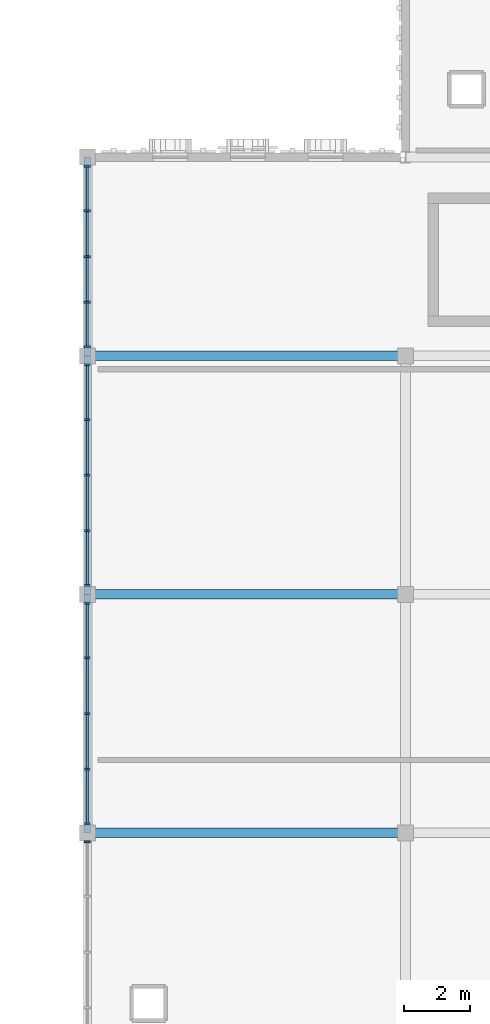
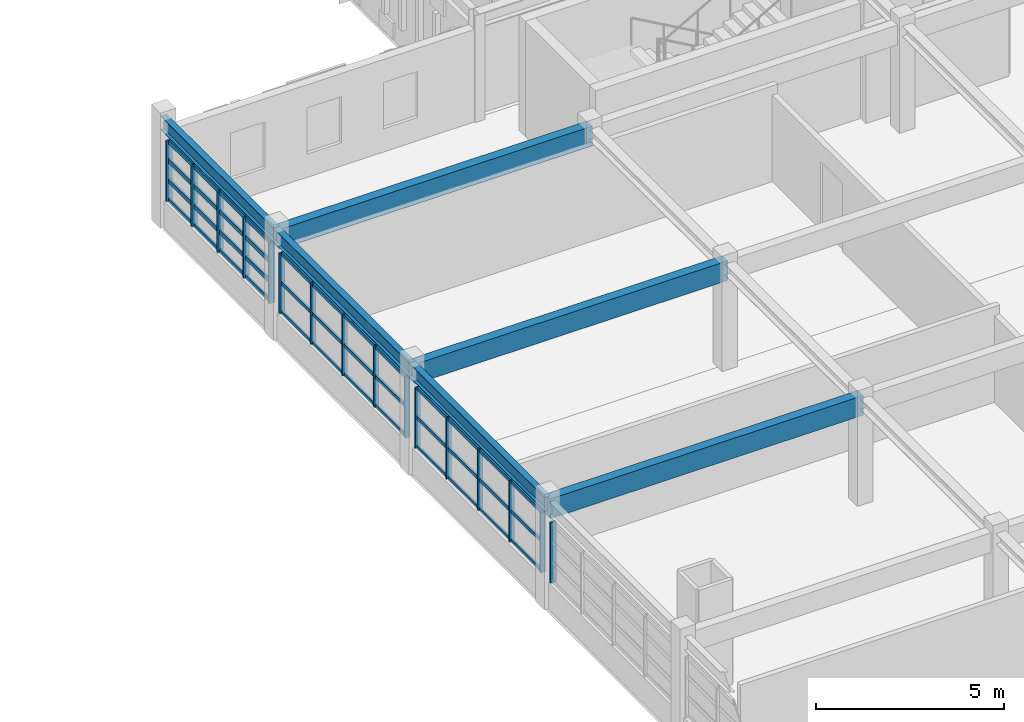
# One storey, part 5 of 53: 56 members, 6 beams, 4 elements without a shape of their own.
"""IFC4 building model written with IfcOpenShell, lengths in metres."""

from ifc_helpers import new_model, si_unit, direction, frame, origin, origin_2d, place, context, subcontext, project, spatial, rectangle, i_section, extrude, material, material_profile, profile_set, type_object, element, aggregate, save


model = new_model("IFC4")

# Units and contexts
model_context = context("Model", 3, precision=1e-05, world=origin(), true_north=direction((0.0, 1.0)))
body_context = subcontext(model_context, "Body", "Model", "MODEL_VIEW")
ifc_project = project(units=[si_unit("LENGTHUNIT", "METRE"), si_unit("AREAUNIT", "SQUARE_METRE"), si_unit("VOLUMEUNIT", "CUBIC_METRE"), si_unit("PLANEANGLEUNIT", "RADIAN"), si_unit("MASSUNIT", "GRAM", prefix="KILO")], contexts=[model_context])

# Site, building, storey
site_placement = place(None, origin())
site = spatial("IfcSite", under=ifc_project, at=site_placement, CompositionType="ELEMENT")
building_placement = place(site_placement, origin())
building = spatial("IfcBuilding", under=site, at=building_placement, Name="Nzembalo Square Collegiate School", CompositionType="ELEMENT")
storey_placement = place(building_placement, frame((0.0, 0.0, 13.60009765625)))
storey = spatial("IfcBuildingStorey", under=building, at=storey_placement, Name="L03", CompositionType="ELEMENT", Elevation=13.60009765625)

# Beams
ifc_material_1 = material(Name="Glulam GL32h", Category="wood")
ifc_material_profile_1 = material_profile(ifc_material_1, rectangle(XDim=0.280029296875, YDim=0.639892578125, at=origin_2d()), Name="GL32h 280x640")
ifc_profile_set_1 = profile_set([ifc_material_profile_1], Name="Glulam GL32h")
beam_type_1 = type_object("IfcBeamType", Name="B04", PredefinedType="BEAM", material=ifc_profile_set_1)
for number, where, z_axis, x_axis, name in (
    (1, (130.800048828125, 30.0, 3.135009765625), (1.0, 0.0, 0.0), (0.0, 1.0, 0.0), "Beam B04 L03"),
    (2, (130.800048828125, 37.199951171875, 3.135009765625), (1.0, 0.0, 0.0), (0.0, 1.0, 0.0), "Beam B04 L03"),
    (3, (130.800048828125, 44.39990234375, 3.135009765625), (1.0, 0.0, 0.0), (0.0, 1.0, 0.0), "Beam B04 L03"),
):
    element("IfcBeam", number, at=place(storey_placement, frame(where, z_axis=z_axis, x_axis=x_axis)), inside=storey, type_object=beam_type_1, Name=name, PredefinedType="BEAM", context=body_context, shape_type="SweptSolid", body=[
        extrude(rectangle(XDim=0.280029296875, YDim=0.639892578125, at=origin_2d()), origin(), (0.0, 0.0, 1.0), 9.599853515625),
    ])
ifc_material_2 = material(Name="Steel S355", Category="steel")
ifc_material_profile_2 = material_profile(ifc_material_2, i_section(OverallWidth=0.18994140625, OverallDepth=0.449951171875, WebThickness=0.009521484375, FlangeThickness=0.0146484375, at=origin_2d()), Name="IPE 450")
ifc_profile_set_2 = profile_set([ifc_material_profile_2], Name="Steel S355")
beam_type_2 = type_object("IfcBeamType", Name="B09", PredefinedType="BEAM", material=ifc_profile_set_2)
for number, where, z_axis, x_axis, name in (
    (4, (130.800048828125, 30.0, 3.22998046875), (0.0, 1.0, 0.0), (-1.0, 0.0, 0.0), "Beam B09 L03"),
    (5, (130.800048828125, 37.199951171875, 3.22998046875), (0.0, 1.0, 0.0), (-1.0, 0.0, 0.0), "Beam B09 L03"),
):
    element("IfcBeam", number, at=place(storey_placement, frame(where, z_axis=z_axis, x_axis=x_axis)), inside=storey, type_object=beam_type_2, Name=name, PredefinedType="BEAM", context=body_context, shape_type="SweptSolid", body=[
        extrude(i_section(OverallWidth=0.18994140625, OverallDepth=0.449951171875, WebThickness=0.009521484375, FlangeThickness=0.0146484375, at=origin_2d()), origin(), (0.0, 0.0, 1.0), 7.199951171875),
    ])
beam_placement = place(storey_placement, frame((130.800048828125, 44.39990234375, 3.22998046875), z_axis=(0.0, 1.0, 0.0), x_axis=(-1.0, 0.0, 0.0)))
element("IfcBeam", 6, at=beam_placement, inside=storey, type_object=beam_type_2, Name="Beam B09 L03", PredefinedType="BEAM", context=body_context, shape_type="SweptSolid", body=[
    extrude(i_section(OverallWidth=0.18994140625, OverallDepth=0.449951171875, WebThickness=0.009521484375, FlangeThickness=0.0146484375, at=origin_2d()), origin(), (0.0, 0.0, 1.0), 6.0),
])

# Curtain wall, member
ifc_material_3 = material(Name="Aluminium 6060-T66", Category="aluminium")
curtain_wall_type_1 = type_object("IfcCurtainWallType", Name="CW-06", PredefinedType="USERDEFINED", material=ifc_material_3)
curtain_wall_1_placement = place(storey_placement, origin())
curtain_wall_1 = element("IfcCurtainWall", 7, at=curtain_wall_1_placement, inside=storey, type_object=curtain_wall_type_1, Name="Curtain wall CW-06 cw:L03:117", ObjectType="LANCET", PredefinedType="USERDEFINED")
ifc_material_4 = material(Name="Aluminium 6060-T66", Category="aluminium")
ifc_material_profile_3 = material_profile(ifc_material_4, rectangle(XDim=0.06005859375, YDim=0.179931640625, at=origin_2d()), Name="ALU M60x180")
ifc_profile_set_3 = profile_set([ifc_material_profile_3], Name="Aluminium 6060-T66")
member_type_1 = type_object("IfcMemberType", Name="ML01", PredefinedType="MULLION", material=ifc_profile_set_3)
member_1_placement = place(storey_placement, frame((130.800048828125, 29.72802734375, 0.849853515625), z_axis=(0.0, 0.0, 1.0), x_axis=(0.0, 1.0, 0.0)))
member_1 = element("IfcMember", 8, at=member_1_placement, type_object=member_type_1, Name="ML01 mullion 5", PredefinedType="MULLION", context=body_context, shape_type="SweptSolid", body=[
    extrude(rectangle(XDim=0.06005859375, YDim=0.179931640625, at=origin_2d()), origin(), (0.0, 0.0, 1.0), 1.958984375),
])
aggregate(curtain_wall_1, [member_1])

# Curtain wall, members
ifc_material_5 = material(Name="Aluminium 6060-T66", Category="aluminium")
curtain_wall_type_2 = type_object("IfcCurtainWallType", Name="CW-01", PredefinedType="USERDEFINED", material=ifc_material_5)
curtain_wall_2_placement = place(storey_placement, origin())
curtain_wall_2 = element("IfcCurtainWall", 9, at=curtain_wall_2_placement, inside=storey, type_object=curtain_wall_type_2, Name="Curtain wall CW-01 cw:L03:120", ObjectType="UNITISED", PredefinedType="USERDEFINED")
member_2_placement = place(storey_placement, frame((130.800048828125, 44.672119140625, 0.849853515625), z_axis=(0.0, 0.0, 1.0), x_axis=(0.0, 1.0, 0.0)))
member_2 = element("IfcMember", 10, at=member_2_placement, type_object=member_type_1, Name="ML01 mullion 1", PredefinedType="MULLION", context=body_context, shape_type="SweptSolid", body=[
    extrude(rectangle(XDim=0.06005859375, YDim=0.179931640625, at=origin_2d()), origin(), (0.0, 0.0, 1.0), 1.958984375),
])
member_3_placement = place(storey_placement, frame((130.800048828125, 46.02099609375, 0.849853515625), z_axis=(0.0, 0.0, 1.0), x_axis=(0.0, 1.0, 0.0)))
member_3 = element("IfcMember", 11, at=member_3_placement, type_object=member_type_1, Name="ML01 mullion 2", PredefinedType="MULLION", context=body_context, shape_type="SweptSolid", body=[
    extrude(rectangle(XDim=0.06005859375, YDim=0.179931640625, at=origin_2d()), origin(), (0.0, 0.0, 1.0), 1.958984375),
])
member_4_placement = place(storey_placement, frame((130.800048828125, 47.39990234375, 0.849853515625), z_axis=(0.0, 0.0, 1.0), x_axis=(0.0, 1.0, 0.0)))
member_4 = element("IfcMember", 12, at=member_4_placement, type_object=member_type_1, Name="ML01 mullion 3", PredefinedType="MULLION", context=body_context, shape_type="SweptSolid", body=[
    extrude(rectangle(XDim=0.06005859375, YDim=0.179931640625, at=origin_2d()), origin(), (0.0, 0.0, 1.0), 1.958984375),
])
member_5_placement = place(storey_placement, frame((130.800048828125, 48.779052734375, 0.849853515625), z_axis=(0.0, 0.0, 1.0), x_axis=(0.0, 1.0, 0.0)))
member_5 = element("IfcMember", 13, at=member_5_placement, type_object=member_type_1, Name="ML01 mullion 4", PredefinedType="MULLION", context=body_context, shape_type="SweptSolid", body=[
    extrude(rectangle(XDim=0.06005859375, YDim=0.179931640625, at=origin_2d()), origin(), (0.0, 0.0, 1.0), 1.958984375),
])
member_6_placement = place(storey_placement, frame((130.800048828125, 50.1279296875, 0.849853515625), z_axis=(0.0, 0.0, 1.0), x_axis=(0.0, 1.0, 0.0)))
member_6 = element("IfcMember", 14, at=member_6_placement, type_object=member_type_1, Name="ML01 mullion 5", PredefinedType="MULLION", context=body_context, shape_type="SweptSolid", body=[
    extrude(rectangle(XDim=0.06005859375, YDim=0.179931640625, at=origin_2d()), origin(), (0.0, 0.0, 1.0), 1.958984375),
])

ifc_material_6 = material(Name="Aluminium 6060-T66", Category="aluminium")
curtain_wall_type_3 = type_object("IfcCurtainWallType", Name="CW-07", PredefinedType="USERDEFINED", material=ifc_material_6)
curtain_wall_3_placement = place(storey_placement, origin())
curtain_wall_3 = element("IfcCurtainWall", 15, at=curtain_wall_3_placement, inside=storey, type_object=curtain_wall_type_3, Name="Curtain wall CW-07 cw:L03:118", ObjectType="LANCET", PredefinedType="USERDEFINED")
ifc_material_7 = material(Name="Aluminium 6060-T66", Category="aluminium")
ifc_material_profile_4 = material_profile(ifc_material_7, rectangle(XDim=0.06005859375, YDim=0.14990234375, at=origin_2d()), Name="ALU M60x150")
ifc_profile_set_4 = profile_set([ifc_material_profile_4], Name="Aluminium 6060-T66")
member_type_2 = type_object("IfcMemberType", Name="ML02", PredefinedType="MULLION", material=ifc_profile_set_4)
member_7_placement = place(storey_placement, frame((130.800048828125, 30.27197265625, 0.849853515625), z_axis=(0.0, 0.0, 1.0), x_axis=(0.0, 1.0, 0.0)))
member_7 = element("IfcMember", 16, at=member_7_placement, type_object=member_type_2, Name="ML02 mullion 1", PredefinedType="MULLION", context=body_context, shape_type="SweptSolid", body=[
    extrude(rectangle(XDim=0.06005859375, YDim=0.14990234375, at=origin_2d()), origin(), (0.0, 0.0, 1.0), 1.958984375),
])
member_8_placement = place(storey_placement, frame((130.800048828125, 31.9208984375, 0.849853515625), z_axis=(0.0, 0.0, 1.0), x_axis=(0.0, 1.0, 0.0)))
member_8 = element("IfcMember", 17, at=member_8_placement, type_object=member_type_2, Name="ML02 mullion 2", PredefinedType="MULLION", context=body_context, shape_type="SweptSolid", body=[
    extrude(rectangle(XDim=0.06005859375, YDim=0.14990234375, at=origin_2d()), origin(), (0.0, 0.0, 1.0), 1.958984375),
])
member_9_placement = place(storey_placement, frame((130.800048828125, 33.60009765625, 0.849853515625), z_axis=(0.0, 0.0, 1.0), x_axis=(0.0, 1.0, 0.0)))
member_9 = element("IfcMember", 18, at=member_9_placement, type_object=member_type_2, Name="ML02 mullion 3", PredefinedType="MULLION", context=body_context, shape_type="SweptSolid", body=[
    extrude(rectangle(XDim=0.06005859375, YDim=0.14990234375, at=origin_2d()), origin(), (0.0, 0.0, 1.0), 1.958984375),
])
member_10_placement = place(storey_placement, frame((130.800048828125, 35.279052734375, 0.849853515625), z_axis=(0.0, 0.0, 1.0), x_axis=(0.0, 1.0, 0.0)))
member_10 = element("IfcMember", 19, at=member_10_placement, type_object=member_type_2, Name="ML02 mullion 4", PredefinedType="MULLION", context=body_context, shape_type="SweptSolid", body=[
    extrude(rectangle(XDim=0.06005859375, YDim=0.14990234375, at=origin_2d()), origin(), (0.0, 0.0, 1.0), 1.958984375),
])
member_11_placement = place(storey_placement, frame((130.800048828125, 36.927978515625, 0.849853515625), z_axis=(0.0, 0.0, 1.0), x_axis=(0.0, 1.0, 0.0)))
member_11 = element("IfcMember", 20, at=member_11_placement, type_object=member_type_2, Name="ML02 mullion 5", PredefinedType="MULLION", context=body_context, shape_type="SweptSolid", body=[
    extrude(rectangle(XDim=0.06005859375, YDim=0.14990234375, at=origin_2d()), origin(), (0.0, 0.0, 1.0), 1.958984375),
])

ifc_material_8 = material(Name="Aluminium 6060-T66", Category="aluminium")
curtain_wall_type_4 = type_object("IfcCurtainWallType", Name="CW-08", PredefinedType="USERDEFINED", material=ifc_material_8)
curtain_wall_4_placement = place(storey_placement, origin())
curtain_wall_4 = element("IfcCurtainWall", 21, at=curtain_wall_4_placement, inside=storey, type_object=curtain_wall_type_4, Name="Curtain wall CW-08 cw:L03:119", ObjectType="LANCET", PredefinedType="USERDEFINED")
member_12_placement = place(storey_placement, frame((130.800048828125, 37.471923828125, 0.849853515625), z_axis=(0.0, 0.0, 1.0), x_axis=(0.0, 1.0, 0.0)))
member_12 = element("IfcMember", 22, at=member_12_placement, type_object=member_type_2, Name="ML02 mullion 1", PredefinedType="MULLION", context=body_context, shape_type="SweptSolid", body=[
    extrude(rectangle(XDim=0.06005859375, YDim=0.14990234375, at=origin_2d()), origin(), (0.0, 0.0, 1.0), 1.958984375),
])
member_13_placement = place(storey_placement, frame((130.800048828125, 39.12109375, 0.849853515625), z_axis=(0.0, 0.0, 1.0), x_axis=(0.0, 1.0, 0.0)))
member_13 = element("IfcMember", 23, at=member_13_placement, type_object=member_type_2, Name="ML02 mullion 2", PredefinedType="MULLION", context=body_context, shape_type="SweptSolid", body=[
    extrude(rectangle(XDim=0.06005859375, YDim=0.14990234375, at=origin_2d()), origin(), (0.0, 0.0, 1.0), 1.958984375),
])
member_14_placement = place(storey_placement, frame((130.800048828125, 40.800048828125, 0.849853515625), z_axis=(0.0, 0.0, 1.0), x_axis=(0.0, 1.0, 0.0)))
member_14 = element("IfcMember", 24, at=member_14_placement, type_object=member_type_2, Name="ML02 mullion 3", PredefinedType="MULLION", context=body_context, shape_type="SweptSolid", body=[
    extrude(rectangle(XDim=0.06005859375, YDim=0.14990234375, at=origin_2d()), origin(), (0.0, 0.0, 1.0), 1.958984375),
])
member_15_placement = place(storey_placement, frame((130.800048828125, 42.47900390625, 0.849853515625), z_axis=(0.0, 0.0, 1.0), x_axis=(0.0, 1.0, 0.0)))
member_15 = element("IfcMember", 25, at=member_15_placement, type_object=member_type_2, Name="ML02 mullion 4", PredefinedType="MULLION", context=body_context, shape_type="SweptSolid", body=[
    extrude(rectangle(XDim=0.06005859375, YDim=0.14990234375, at=origin_2d()), origin(), (0.0, 0.0, 1.0), 1.958984375),
])
member_16_placement = place(storey_placement, frame((130.800048828125, 44.1279296875, 0.849853515625), z_axis=(0.0, 0.0, 1.0), x_axis=(0.0, 1.0, 0.0)))
member_16 = element("IfcMember", 26, at=member_16_placement, type_object=member_type_2, Name="ML02 mullion 5", PredefinedType="MULLION", context=body_context, shape_type="SweptSolid", body=[
    extrude(rectangle(XDim=0.06005859375, YDim=0.14990234375, at=origin_2d()), origin(), (0.0, 0.0, 1.0), 1.958984375),
])

# Member
ifc_material_9 = material(Name="Aluminium 6060-T66", Category="aluminium")
ifc_material_profile_5 = material_profile(ifc_material_9, rectangle(XDim=0.06005859375, YDim=0.139892578125, at=origin_2d()), Name="ALU T60x140")
ifc_profile_set_5 = profile_set([ifc_material_profile_5], Name="Aluminium 6060-T66")
member_type_3 = type_object("IfcMemberType", Name="TR01", PredefinedType="USERDEFINED", material=ifc_profile_set_5)
member_17_placement = place(storey_placement, frame((130.800048828125, 44.701904296875, 0.8798828125), z_axis=(0.0, 1.0, 0.0), x_axis=(-1.0, 0.0, 0.0)))
member_17 = element("IfcMember", 27, at=member_17_placement, type_object=member_type_3, Name="TR01 transom 1-1", ObjectType="TRANSOM", PredefinedType="USERDEFINED", context=body_context, shape_type="SweptSolid", body=[
    extrude(rectangle(XDim=0.06005859375, YDim=0.139892578125, at=origin_2d()), origin(), (0.0, 0.0, 1.0), 1.2890625),
])

member_18_placement = place(storey_placement, frame((130.800048828125, 46.051025390625, 0.8798828125), z_axis=(0.0, 1.0, 0.0), x_axis=(-1.0, 0.0, 0.0)))
member_18 = element("IfcMember", 28, at=member_18_placement, type_object=member_type_3, Name="TR01 transom 1-2", ObjectType="TRANSOM", PredefinedType="USERDEFINED", context=body_context, shape_type="SweptSolid", body=[
    extrude(rectangle(XDim=0.06005859375, YDim=0.139892578125, at=origin_2d()), origin(), (0.0, 0.0, 1.0), 1.319091796875),
])

member_19_placement = place(storey_placement, frame((130.800048828125, 47.429931640625, 0.8798828125), z_axis=(0.0, 1.0, 0.0), x_axis=(-1.0, 0.0, 0.0)))
member_19 = element("IfcMember", 29, at=member_19_placement, type_object=member_type_3, Name="TR01 transom 1-3", ObjectType="TRANSOM", PredefinedType="USERDEFINED", context=body_context, shape_type="SweptSolid", body=[
    extrude(rectangle(XDim=0.06005859375, YDim=0.139892578125, at=origin_2d()), origin(), (0.0, 0.0, 1.0), 1.319091796875),
])

member_20_placement = place(storey_placement, frame((130.800048828125, 48.80908203125, 0.8798828125), z_axis=(0.0, 1.0, 0.0), x_axis=(-1.0, 0.0, 0.0)))
member_20 = element("IfcMember", 30, at=member_20_placement, type_object=member_type_3, Name="TR01 transom 1-4", ObjectType="TRANSOM", PredefinedType="USERDEFINED", context=body_context, shape_type="SweptSolid", body=[
    extrude(rectangle(XDim=0.06005859375, YDim=0.139892578125, at=origin_2d()), origin(), (0.0, 0.0, 1.0), 1.288818359375),
])

member_21_placement = place(storey_placement, frame((130.800048828125, 44.701904296875, 1.5029296875), z_axis=(0.0, 1.0, 0.0), x_axis=(-1.0, 0.0, 0.0)))
member_21 = element("IfcMember", 31, at=member_21_placement, type_object=member_type_3, Name="TR01 transom 2-1", ObjectType="TRANSOM", PredefinedType="USERDEFINED", context=body_context, shape_type="SweptSolid", body=[
    extrude(rectangle(XDim=0.06005859375, YDim=0.139892578125, at=origin_2d()), origin(), (0.0, 0.0, 1.0), 1.2890625),
])

member_22_placement = place(storey_placement, frame((130.800048828125, 46.051025390625, 1.5029296875), z_axis=(0.0, 1.0, 0.0), x_axis=(-1.0, 0.0, 0.0)))
member_22 = element("IfcMember", 32, at=member_22_placement, type_object=member_type_3, Name="TR01 transom 2-2", ObjectType="TRANSOM", PredefinedType="USERDEFINED", context=body_context, shape_type="SweptSolid", body=[
    extrude(rectangle(XDim=0.06005859375, YDim=0.139892578125, at=origin_2d()), origin(), (0.0, 0.0, 1.0), 1.319091796875),
])

member_23_placement = place(storey_placement, frame((130.800048828125, 47.429931640625, 1.5029296875), z_axis=(0.0, 1.0, 0.0), x_axis=(-1.0, 0.0, 0.0)))
member_23 = element("IfcMember", 33, at=member_23_placement, type_object=member_type_3, Name="TR01 transom 2-3", ObjectType="TRANSOM", PredefinedType="USERDEFINED", context=body_context, shape_type="SweptSolid", body=[
    extrude(rectangle(XDim=0.06005859375, YDim=0.139892578125, at=origin_2d()), origin(), (0.0, 0.0, 1.0), 1.319091796875),
])

member_24_placement = place(storey_placement, frame((130.800048828125, 48.80908203125, 1.5029296875), z_axis=(0.0, 1.0, 0.0), x_axis=(-1.0, 0.0, 0.0)))
member_24 = element("IfcMember", 34, at=member_24_placement, type_object=member_type_3, Name="TR01 transom 2-4", ObjectType="TRANSOM", PredefinedType="USERDEFINED", context=body_context, shape_type="SweptSolid", body=[
    extrude(rectangle(XDim=0.06005859375, YDim=0.139892578125, at=origin_2d()), origin(), (0.0, 0.0, 1.0), 1.288818359375),
])

member_25_placement = place(storey_placement, frame((130.800048828125, 44.701904296875, 2.156005859375), z_axis=(0.0, 1.0, 0.0), x_axis=(-1.0, 0.0, 0.0)))
member_25 = element("IfcMember", 35, at=member_25_placement, type_object=member_type_3, Name="TR01 transom 3-1", ObjectType="TRANSOM", PredefinedType="USERDEFINED", context=body_context, shape_type="SweptSolid", body=[
    extrude(rectangle(XDim=0.06005859375, YDim=0.139892578125, at=origin_2d()), origin(), (0.0, 0.0, 1.0), 1.2890625),
])

member_26_placement = place(storey_placement, frame((130.800048828125, 46.051025390625, 2.156005859375), z_axis=(0.0, 1.0, 0.0), x_axis=(-1.0, 0.0, 0.0)))
member_26 = element("IfcMember", 36, at=member_26_placement, type_object=member_type_3, Name="TR01 transom 3-2", ObjectType="TRANSOM", PredefinedType="USERDEFINED", context=body_context, shape_type="SweptSolid", body=[
    extrude(rectangle(XDim=0.06005859375, YDim=0.139892578125, at=origin_2d()), origin(), (0.0, 0.0, 1.0), 1.319091796875),
])

member_27_placement = place(storey_placement, frame((130.800048828125, 47.429931640625, 2.156005859375), z_axis=(0.0, 1.0, 0.0), x_axis=(-1.0, 0.0, 0.0)))
member_27 = element("IfcMember", 37, at=member_27_placement, type_object=member_type_3, Name="TR01 transom 3-3", ObjectType="TRANSOM", PredefinedType="USERDEFINED", context=body_context, shape_type="SweptSolid", body=[
    extrude(rectangle(XDim=0.06005859375, YDim=0.139892578125, at=origin_2d()), origin(), (0.0, 0.0, 1.0), 1.319091796875),
])

member_28_placement = place(storey_placement, frame((130.800048828125, 48.80908203125, 2.156005859375), z_axis=(0.0, 1.0, 0.0), x_axis=(-1.0, 0.0, 0.0)))
member_28 = element("IfcMember", 38, at=member_28_placement, type_object=member_type_3, Name="TR01 transom 3-4", ObjectType="TRANSOM", PredefinedType="USERDEFINED", context=body_context, shape_type="SweptSolid", body=[
    extrude(rectangle(XDim=0.06005859375, YDim=0.139892578125, at=origin_2d()), origin(), (0.0, 0.0, 1.0), 1.288818359375),
])

member_29_placement = place(storey_placement, frame((130.800048828125, 44.701904296875, 2.77880859375), z_axis=(0.0, 1.0, 0.0), x_axis=(-1.0, 0.0, 0.0)))
member_29 = element("IfcMember", 39, at=member_29_placement, type_object=member_type_3, Name="TR01 transom 4-1", ObjectType="TRANSOM", PredefinedType="USERDEFINED", context=body_context, shape_type="SweptSolid", body=[
    extrude(rectangle(XDim=0.06005859375, YDim=0.139892578125, at=origin_2d()), origin(), (0.0, 0.0, 1.0), 1.2890625),
])

member_30_placement = place(storey_placement, frame((130.800048828125, 46.051025390625, 2.77880859375), z_axis=(0.0, 1.0, 0.0), x_axis=(-1.0, 0.0, 0.0)))
member_30 = element("IfcMember", 40, at=member_30_placement, type_object=member_type_3, Name="TR01 transom 4-2", ObjectType="TRANSOM", PredefinedType="USERDEFINED", context=body_context, shape_type="SweptSolid", body=[
    extrude(rectangle(XDim=0.06005859375, YDim=0.139892578125, at=origin_2d()), origin(), (0.0, 0.0, 1.0), 1.319091796875),
])

member_31_placement = place(storey_placement, frame((130.800048828125, 47.429931640625, 2.77880859375), z_axis=(0.0, 1.0, 0.0), x_axis=(-1.0, 0.0, 0.0)))
member_31 = element("IfcMember", 41, at=member_31_placement, type_object=member_type_3, Name="TR01 transom 4-3", ObjectType="TRANSOM", PredefinedType="USERDEFINED", context=body_context, shape_type="SweptSolid", body=[
    extrude(rectangle(XDim=0.06005859375, YDim=0.139892578125, at=origin_2d()), origin(), (0.0, 0.0, 1.0), 1.319091796875),
])

member_32_placement = place(storey_placement, frame((130.800048828125, 48.80908203125, 2.77880859375), z_axis=(0.0, 1.0, 0.0), x_axis=(-1.0, 0.0, 0.0)))
member_32 = element("IfcMember", 42, at=member_32_placement, type_object=member_type_3, Name="TR01 transom 4-4", ObjectType="TRANSOM", PredefinedType="USERDEFINED", context=body_context, shape_type="SweptSolid", body=[
    extrude(rectangle(XDim=0.06005859375, YDim=0.139892578125, at=origin_2d()), origin(), (0.0, 0.0, 1.0), 1.288818359375),
])

aggregate(curtain_wall_2, [member_2, member_3, member_4, member_5, member_6, member_17, member_18, member_19, member_20, member_21, member_22, member_23, member_24, member_25, member_26, member_27, member_28, member_29, member_30, member_31, member_32])

ifc_material_10 = material(Name="Aluminium 6060-T66", Category="aluminium")
ifc_material_profile_6 = material_profile(ifc_material_10, rectangle(XDim=0.06005859375, YDim=0.110107421875, at=origin_2d()), Name="ALU T60x110")
ifc_profile_set_6 = profile_set([ifc_material_profile_6], Name="Aluminium 6060-T66")
member_type_4 = type_object("IfcMemberType", Name="TR02", PredefinedType="USERDEFINED", material=ifc_profile_set_6)
member_33_placement = place(storey_placement, frame((130.800048828125, 30.302001953125, 0.8798828125), z_axis=(0.0, 1.0, 0.0), x_axis=(-1.0, 0.0, 0.0)))
member_33 = element("IfcMember", 43, at=member_33_placement, type_object=member_type_4, Name="TR02 transom 1-1", ObjectType="TRANSOM", PredefinedType="USERDEFINED", context=body_context, shape_type="SweptSolid", body=[
    extrude(rectangle(XDim=0.06005859375, YDim=0.110107421875, at=origin_2d()), origin(), (0.0, 0.0, 1.0), 1.589111328125),
])

member_34_placement = place(storey_placement, frame((130.800048828125, 31.950927734375, 0.8798828125), z_axis=(0.0, 1.0, 0.0), x_axis=(-1.0, 0.0, 0.0)))
member_34 = element("IfcMember", 44, at=member_34_placement, type_object=member_type_4, Name="TR02 transom 1-2", ObjectType="TRANSOM", PredefinedType="USERDEFINED", context=body_context, shape_type="SweptSolid", body=[
    extrude(rectangle(XDim=0.06005859375, YDim=0.110107421875, at=origin_2d()), origin(), (0.0, 0.0, 1.0), 1.619140625),
])

member_35_placement = place(storey_placement, frame((130.800048828125, 33.6298828125, 0.8798828125), z_axis=(0.0, 1.0, 0.0), x_axis=(-1.0, 0.0, 0.0)))
member_35 = element("IfcMember", 45, at=member_35_placement, type_object=member_type_4, Name="TR02 transom 1-3", ObjectType="TRANSOM", PredefinedType="USERDEFINED", context=body_context, shape_type="SweptSolid", body=[
    extrude(rectangle(XDim=0.06005859375, YDim=0.110107421875, at=origin_2d()), origin(), (0.0, 0.0, 1.0), 1.619140625),
])

member_36_placement = place(storey_placement, frame((130.800048828125, 35.30908203125, 0.8798828125), z_axis=(0.0, 1.0, 0.0), x_axis=(-1.0, 0.0, 0.0)))
member_36 = element("IfcMember", 46, at=member_36_placement, type_object=member_type_4, Name="TR02 transom 1-4", ObjectType="TRANSOM", PredefinedType="USERDEFINED", context=body_context, shape_type="SweptSolid", body=[
    extrude(rectangle(XDim=0.06005859375, YDim=0.110107421875, at=origin_2d()), origin(), (0.0, 0.0, 1.0), 1.5888671875),
])

member_37_placement = place(storey_placement, frame((130.800048828125, 30.302001953125, 1.829345703125), z_axis=(0.0, 1.0, 0.0), x_axis=(-1.0, 0.0, 0.0)))
member_37 = element("IfcMember", 47, at=member_37_placement, type_object=member_type_4, Name="TR02 transom 2-1", ObjectType="TRANSOM", PredefinedType="USERDEFINED", context=body_context, shape_type="SweptSolid", body=[
    extrude(rectangle(XDim=0.06005859375, YDim=0.110107421875, at=origin_2d()), origin(), (0.0, 0.0, 1.0), 1.589111328125),
])

member_38_placement = place(storey_placement, frame((130.800048828125, 31.950927734375, 1.829345703125), z_axis=(0.0, 1.0, 0.0), x_axis=(-1.0, 0.0, 0.0)))
member_38 = element("IfcMember", 48, at=member_38_placement, type_object=member_type_4, Name="TR02 transom 2-2", ObjectType="TRANSOM", PredefinedType="USERDEFINED", context=body_context, shape_type="SweptSolid", body=[
    extrude(rectangle(XDim=0.06005859375, YDim=0.110107421875, at=origin_2d()), origin(), (0.0, 0.0, 1.0), 1.619140625),
])

member_39_placement = place(storey_placement, frame((130.800048828125, 33.6298828125, 1.829345703125), z_axis=(0.0, 1.0, 0.0), x_axis=(-1.0, 0.0, 0.0)))
member_39 = element("IfcMember", 49, at=member_39_placement, type_object=member_type_4, Name="TR02 transom 2-3", ObjectType="TRANSOM", PredefinedType="USERDEFINED", context=body_context, shape_type="SweptSolid", body=[
    extrude(rectangle(XDim=0.06005859375, YDim=0.110107421875, at=origin_2d()), origin(), (0.0, 0.0, 1.0), 1.619140625),
])

member_40_placement = place(storey_placement, frame((130.800048828125, 35.30908203125, 1.829345703125), z_axis=(0.0, 1.0, 0.0), x_axis=(-1.0, 0.0, 0.0)))
member_40 = element("IfcMember", 50, at=member_40_placement, type_object=member_type_4, Name="TR02 transom 2-4", ObjectType="TRANSOM", PredefinedType="USERDEFINED", context=body_context, shape_type="SweptSolid", body=[
    extrude(rectangle(XDim=0.06005859375, YDim=0.110107421875, at=origin_2d()), origin(), (0.0, 0.0, 1.0), 1.5888671875),
])

member_41_placement = place(storey_placement, frame((130.800048828125, 30.302001953125, 2.77880859375), z_axis=(0.0, 1.0, 0.0), x_axis=(-1.0, 0.0, 0.0)))
member_41 = element("IfcMember", 51, at=member_41_placement, type_object=member_type_4, Name="TR02 transom 3-1", ObjectType="TRANSOM", PredefinedType="USERDEFINED", context=body_context, shape_type="SweptSolid", body=[
    extrude(rectangle(XDim=0.06005859375, YDim=0.110107421875, at=origin_2d()), origin(), (0.0, 0.0, 1.0), 1.589111328125),
])

member_42_placement = place(storey_placement, frame((130.800048828125, 31.950927734375, 2.77880859375), z_axis=(0.0, 1.0, 0.0), x_axis=(-1.0, 0.0, 0.0)))
member_42 = element("IfcMember", 52, at=member_42_placement, type_object=member_type_4, Name="TR02 transom 3-2", ObjectType="TRANSOM", PredefinedType="USERDEFINED", context=body_context, shape_type="SweptSolid", body=[
    extrude(rectangle(XDim=0.06005859375, YDim=0.110107421875, at=origin_2d()), origin(), (0.0, 0.0, 1.0), 1.619140625),
])

member_43_placement = place(storey_placement, frame((130.800048828125, 33.6298828125, 2.77880859375), z_axis=(0.0, 1.0, 0.0), x_axis=(-1.0, 0.0, 0.0)))
member_43 = element("IfcMember", 53, at=member_43_placement, type_object=member_type_4, Name="TR02 transom 3-3", ObjectType="TRANSOM", PredefinedType="USERDEFINED", context=body_context, shape_type="SweptSolid", body=[
    extrude(rectangle(XDim=0.06005859375, YDim=0.110107421875, at=origin_2d()), origin(), (0.0, 0.0, 1.0), 1.619140625),
])

member_44_placement = place(storey_placement, frame((130.800048828125, 35.30908203125, 2.77880859375), z_axis=(0.0, 1.0, 0.0), x_axis=(-1.0, 0.0, 0.0)))
member_44 = element("IfcMember", 54, at=member_44_placement, type_object=member_type_4, Name="TR02 transom 3-4", ObjectType="TRANSOM", PredefinedType="USERDEFINED", context=body_context, shape_type="SweptSolid", body=[
    extrude(rectangle(XDim=0.06005859375, YDim=0.110107421875, at=origin_2d()), origin(), (0.0, 0.0, 1.0), 1.5888671875),
])

aggregate(curtain_wall_3, [member_7, member_8, member_9, member_10, member_11, member_33, member_34, member_35, member_36, member_37, member_38, member_39, member_40, member_41, member_42, member_43, member_44])

member_45_placement = place(storey_placement, frame((130.800048828125, 37.501953125, 0.8798828125), z_axis=(0.0, 1.0, 0.0), x_axis=(-1.0, 0.0, 0.0)))
member_45 = element("IfcMember", 55, at=member_45_placement, type_object=member_type_4, Name="TR02 transom 1-1", ObjectType="TRANSOM", PredefinedType="USERDEFINED", context=body_context, shape_type="SweptSolid", body=[
    extrude(rectangle(XDim=0.06005859375, YDim=0.110107421875, at=origin_2d()), origin(), (0.0, 0.0, 1.0), 1.589111328125),
])

member_46_placement = place(storey_placement, frame((130.800048828125, 39.15087890625, 0.8798828125), z_axis=(0.0, 1.0, 0.0), x_axis=(-1.0, 0.0, 0.0)))
member_46 = element("IfcMember", 56, at=member_46_placement, type_object=member_type_4, Name="TR02 transom 1-2", ObjectType="TRANSOM", PredefinedType="USERDEFINED", context=body_context, shape_type="SweptSolid", body=[
    extrude(rectangle(XDim=0.06005859375, YDim=0.110107421875, at=origin_2d()), origin(), (0.0, 0.0, 1.0), 1.619140625),
])

member_47_placement = place(storey_placement, frame((130.800048828125, 40.830078125, 0.8798828125), z_axis=(0.0, 1.0, 0.0), x_axis=(-1.0, 0.0, 0.0)))
member_47 = element("IfcMember", 57, at=member_47_placement, type_object=member_type_4, Name="TR02 transom 1-3", ObjectType="TRANSOM", PredefinedType="USERDEFINED", context=body_context, shape_type="SweptSolid", body=[
    extrude(rectangle(XDim=0.06005859375, YDim=0.110107421875, at=origin_2d()), origin(), (0.0, 0.0, 1.0), 1.618896484375),
])

member_48_placement = place(storey_placement, frame((130.800048828125, 42.509033203125, 0.8798828125), z_axis=(0.0, 1.0, 0.0), x_axis=(-1.0, 0.0, 0.0)))
member_48 = element("IfcMember", 58, at=member_48_placement, type_object=member_type_4, Name="TR02 transom 1-4", ObjectType="TRANSOM", PredefinedType="USERDEFINED", context=body_context, shape_type="SweptSolid", body=[
    extrude(rectangle(XDim=0.06005859375, YDim=0.110107421875, at=origin_2d()), origin(), (0.0, 0.0, 1.0), 1.5888671875),
])

member_49_placement = place(storey_placement, frame((130.800048828125, 37.501953125, 1.829345703125), z_axis=(0.0, 1.0, 0.0), x_axis=(-1.0, 0.0, 0.0)))
member_49 = element("IfcMember", 59, at=member_49_placement, type_object=member_type_4, Name="TR02 transom 2-1", ObjectType="TRANSOM", PredefinedType="USERDEFINED", context=body_context, shape_type="SweptSolid", body=[
    extrude(rectangle(XDim=0.06005859375, YDim=0.110107421875, at=origin_2d()), origin(), (0.0, 0.0, 1.0), 1.589111328125),
])

member_50_placement = place(storey_placement, frame((130.800048828125, 39.15087890625, 1.829345703125), z_axis=(0.0, 1.0, 0.0), x_axis=(-1.0, 0.0, 0.0)))
member_50 = element("IfcMember", 60, at=member_50_placement, type_object=member_type_4, Name="TR02 transom 2-2", ObjectType="TRANSOM", PredefinedType="USERDEFINED", context=body_context, shape_type="SweptSolid", body=[
    extrude(rectangle(XDim=0.06005859375, YDim=0.110107421875, at=origin_2d()), origin(), (0.0, 0.0, 1.0), 1.619140625),
])

member_51_placement = place(storey_placement, frame((130.800048828125, 40.830078125, 1.829345703125), z_axis=(0.0, 1.0, 0.0), x_axis=(-1.0, 0.0, 0.0)))
member_51 = element("IfcMember", 61, at=member_51_placement, type_object=member_type_4, Name="TR02 transom 2-3", ObjectType="TRANSOM", PredefinedType="USERDEFINED", context=body_context, shape_type="SweptSolid", body=[
    extrude(rectangle(XDim=0.06005859375, YDim=0.110107421875, at=origin_2d()), origin(), (0.0, 0.0, 1.0), 1.618896484375),
])

member_52_placement = place(storey_placement, frame((130.800048828125, 42.509033203125, 1.829345703125), z_axis=(0.0, 1.0, 0.0), x_axis=(-1.0, 0.0, 0.0)))
member_52 = element("IfcMember", 62, at=member_52_placement, type_object=member_type_4, Name="TR02 transom 2-4", ObjectType="TRANSOM", PredefinedType="USERDEFINED", context=body_context, shape_type="SweptSolid", body=[
    extrude(rectangle(XDim=0.06005859375, YDim=0.110107421875, at=origin_2d()), origin(), (0.0, 0.0, 1.0), 1.5888671875),
])

member_53_placement = place(storey_placement, frame((130.800048828125, 37.501953125, 2.77880859375), z_axis=(0.0, 1.0, 0.0), x_axis=(-1.0, 0.0, 0.0)))
member_53 = element("IfcMember", 63, at=member_53_placement, type_object=member_type_4, Name="TR02 transom 3-1", ObjectType="TRANSOM", PredefinedType="USERDEFINED", context=body_context, shape_type="SweptSolid", body=[
    extrude(rectangle(XDim=0.06005859375, YDim=0.110107421875, at=origin_2d()), origin(), (0.0, 0.0, 1.0), 1.589111328125),
])

member_54_placement = place(storey_placement, frame((130.800048828125, 39.15087890625, 2.77880859375), z_axis=(0.0, 1.0, 0.0), x_axis=(-1.0, 0.0, 0.0)))
member_54 = element("IfcMember", 64, at=member_54_placement, type_object=member_type_4, Name="TR02 transom 3-2", ObjectType="TRANSOM", PredefinedType="USERDEFINED", context=body_context, shape_type="SweptSolid", body=[
    extrude(rectangle(XDim=0.06005859375, YDim=0.110107421875, at=origin_2d()), origin(), (0.0, 0.0, 1.0), 1.619140625),
])

member_55_placement = place(storey_placement, frame((130.800048828125, 40.830078125, 2.77880859375), z_axis=(0.0, 1.0, 0.0), x_axis=(-1.0, 0.0, 0.0)))
member_55 = element("IfcMember", 65, at=member_55_placement, type_object=member_type_4, Name="TR02 transom 3-3", ObjectType="TRANSOM", PredefinedType="USERDEFINED", context=body_context, shape_type="SweptSolid", body=[
    extrude(rectangle(XDim=0.06005859375, YDim=0.110107421875, at=origin_2d()), origin(), (0.0, 0.0, 1.0), 1.618896484375),
])

member_56_placement = place(storey_placement, frame((130.800048828125, 42.509033203125, 2.77880859375), z_axis=(0.0, 1.0, 0.0), x_axis=(-1.0, 0.0, 0.0)))
member_56 = element("IfcMember", 66, at=member_56_placement, type_object=member_type_4, Name="TR02 transom 3-4", ObjectType="TRANSOM", PredefinedType="USERDEFINED", context=body_context, shape_type="SweptSolid", body=[
    extrude(rectangle(XDim=0.06005859375, YDim=0.110107421875, at=origin_2d()), origin(), (0.0, 0.0, 1.0), 1.5888671875),
])

aggregate(curtain_wall_4, [member_12, member_13, member_14, member_15, member_16, member_45, member_46, member_47, member_48, member_49, member_50, member_51, member_52, member_53, member_54, member_55, member_56])

save(model, "model.ifc")
